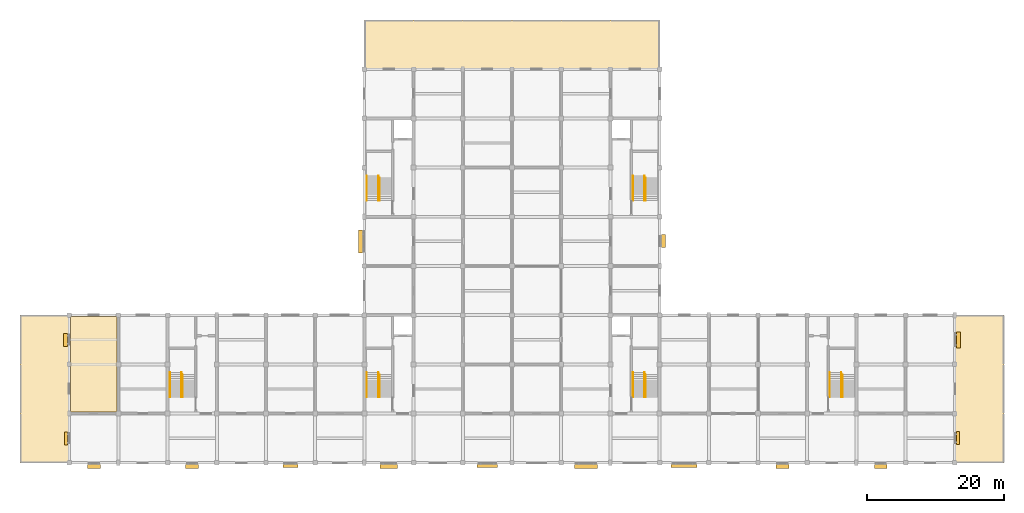
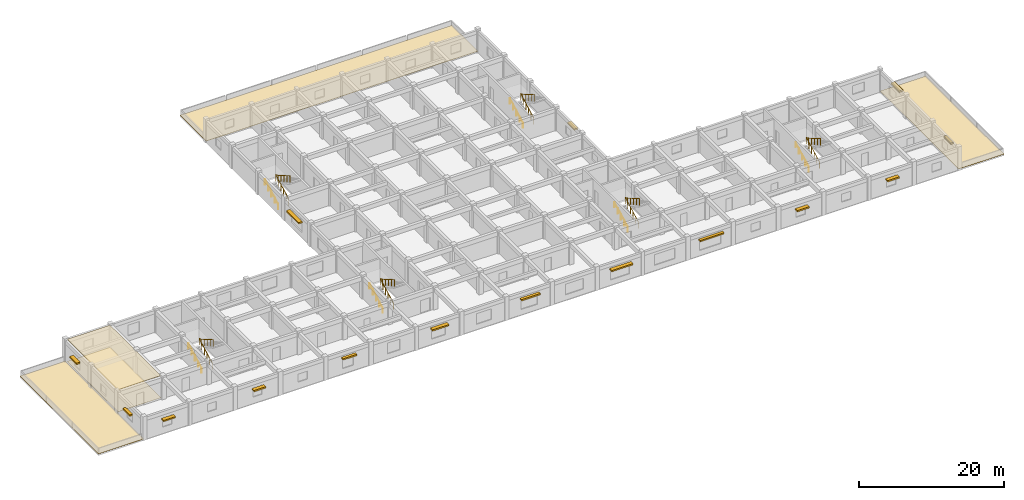
# One storey, part 16 of 16: 15 shading devices, 12 railings, 5 coverings.
"""IFC4 building model written with IfcOpenShell, lengths in metres."""

import ifcopenshell
import ifcopenshell.guid

model = None  # the IFC model being written
_history = None  # IfcOwnerHistory: only IFC2X3 demands one
_inside = {}  # id of a spatial element -> (the spatial element, [elements in it])
_under = {}  # id of a project, library or spatial element -> (it, [spatial elements below it])
_declared = {}  # id of a project -> (the project, [libraries it declares])
_typed = {}  # id of a type object -> (the type object, [elements of that type])
_made_of = {}  # id of a material, layer set ... -> (it, [elements and type objects made of it])


def new_model(schema):
    """Start an empty IFC model of exactly this schema.

    Asked for "IFC4X3", IfcOpenShell would pick the latest addendum, in which some entities
    have other attributes; the version numbers below select the first issue.
    IFC2X3 requires an IfcOwnerHistory on every rooted entity: one is made here for all.
    """
    global model, _history
    if schema == "IFC4X3":
        model = ifcopenshell.file(schema_version=(4, 3, 0, 0))
    else:
        model = ifcopenshell.file(schema=schema)
    _inside.clear()
    _under.clear()
    _declared.clear()
    _typed.clear()
    _made_of.clear()
    _history = None
    if model.schema == "IFC2X3":
        org = make("IfcOrganization", Name="unknown")
        user = make(
            "IfcPersonAndOrganization",
            ThePerson=make("IfcPerson", FamilyName="unknown"),
            TheOrganization=org,
        )
        app = make(
            "IfcApplication",
            ApplicationDeveloper=org,
            Version="unknown",
            ApplicationFullName="unknown",
            ApplicationIdentifier="unknown",
        )
        _history = make(
            "IfcOwnerHistory",
            OwningUser=user,
            OwningApplication=app,
            ChangeAction="ADDED",
            CreationDate=0,
        )
    return model


def make(cls, **values):
    """One entity of the class cls with the attributes given. An attribute that is None is left unset."""
    return model.create_entity(
        cls, **{name: value for name, value in values.items() if value is not None}
    )


def rooted(cls, **values):
    """An entity with a GlobalId (a new one), such as an element, a storey or a relation."""
    return make(cls, GlobalId=ifcopenshell.guid.new(), OwnerHistory=_history, **values)


def si_unit(unit_type, name, prefix=None):
    """IfcSIUnit, for example si_unit("LENGTHUNIT", "METRE", prefix="MILLI")."""
    return make("IfcSIUnit", UnitType=unit_type, Prefix=prefix, Name=name)


def assignment(units):
    """IfcUnitAssignment: the units of a project."""
    return None if units is None else make("IfcUnitAssignment", Units=units)


def point(xyz):
    """IfcCartesianPoint."""
    return None if xyz is None else make("IfcCartesianPoint", Coordinates=xyz)


def direction(xyz):
    """IfcDirection."""
    return None if xyz is None else make("IfcDirection", DirectionRatios=xyz)


def frame(location, z_axis=None, x_axis=None):
    """IfcAxis2Placement3D, a coordinate frame: its origin and axes. An axis left out is left unset."""
    return make(
        "IfcAxis2Placement3D",
        Location=point(location),
        Axis=direction(z_axis),
        RefDirection=direction(x_axis),
    )


def frame_2d(location, x_axis=None):
    """IfcAxis2Placement2D, a coordinate frame in the plane: its origin and x axis."""
    return make(
        "IfcAxis2Placement2D", Location=point(location), RefDirection=direction(x_axis)
    )


def origin():
    """The frame at (0, 0, 0) with its axes left unset."""
    return frame((0.0, 0.0, 0.0))


def origin_2d():
    """The frame at (0, 0) in the plane with its x axis left unset."""
    return frame_2d((0.0, 0.0))


def place(relative_to, where):
    """IfcLocalPlacement: puts the frame where relative to a parent placement (None: the world)."""
    return make(
        "IfcLocalPlacement", PlacementRelTo=relative_to, RelativePlacement=where
    )


def context(
    kind, dimensions, precision=None, world=None, true_north=None, identifier=None
):
    """IfcGeometricRepresentationContext, for example the 3D "Model" context."""
    return make(
        "IfcGeometricRepresentationContext",
        ContextIdentifier=identifier,
        ContextType=kind,
        CoordinateSpaceDimension=dimensions,
        Precision=precision,
        WorldCoordinateSystem=world,
        TrueNorth=true_north,
    )


def subcontext(parent, identifier, kind, view, scale=None):
    """IfcGeometricRepresentationSubContext, for example "Body" below "Model"."""
    return make(
        "IfcGeometricRepresentationSubContext",
        ContextIdentifier=identifier,
        ContextType=kind,
        ParentContext=parent,
        TargetScale=scale,
        TargetView=view,
    )


def project(units=None, contexts=None):
    """IfcProject with its units and contexts."""
    return rooted(
        "IfcProject",
        Name="project",
        RepresentationContexts=contexts,
        UnitsInContext=assignment(units),
    )


def spatial(cls, under=None, at=None, **own):
    """A site, building, storey or space (cls), placed at a placement, below another one or the project."""
    s = rooted(cls, ObjectPlacement=at, **own)
    if under is not None:
        _under.setdefault(under.id(), (under, []))[1].append(s)
    return s


def polyline(points):
    """IfcPolyline through the points."""
    return make("IfcPolyline", Points=[point(p) for p in points])


def profile(cls, at=None, kind="AREA", **sizes):
    """A parametric profile (cls). Its sizes go by their IFC names, for example OverallWidth=200.0."""
    return make(cls, ProfileType=kind, Position=at, **sizes)


def rectangle(**sizes):
    """IfcRectangleProfileDef."""
    return profile("IfcRectangleProfileDef", **sizes)


def circle(**sizes):
    """IfcCircleProfileDef."""
    return profile("IfcCircleProfileDef", **sizes)


def outline(outer, holes=None, kind="AREA"):
    """IfcArbitraryClosedProfileDef: a profile drawn as a closed curve; with holes, ...WithVoids."""
    if holes is None:
        return make("IfcArbitraryClosedProfileDef", ProfileType=kind, OuterCurve=outer)
    return make(
        "IfcArbitraryProfileDefWithVoids",
        ProfileType=kind,
        OuterCurve=outer,
        InnerCurves=holes,
    )


def extrude(swept, where, along, depth):
    """IfcExtrudedAreaSolid: the profile swept, set in the frame where, extruded along a direction by depth."""
    return make(
        "IfcExtrudedAreaSolid",
        SweptArea=swept,
        Position=where,
        ExtrudedDirection=direction(along),
        Depth=depth,
    )


def shape(context_of_items, identifier, shape_type, items):
    """IfcShapeRepresentation: the items that make up one representation, for example the "Body"."""
    return make(
        "IfcShapeRepresentation",
        ContextOfItems=context_of_items,
        RepresentationIdentifier=identifier,
        RepresentationType=shape_type,
        Items=items,
    )


def material(Name=None, Category=None):
    """IfcMaterial."""
    return make("IfcMaterial", Name=Name, Category=Category)


def layer(
    of_material, thickness, ventilated=None, Name=None, Category=None, Priority=None
):
    """IfcMaterialLayer: one layer of a wall or slab, of a material (None: an air gap)."""
    return make(
        "IfcMaterialLayer",
        Material=of_material,
        LayerThickness=thickness,
        IsVentilated=ventilated,
        Name=Name,
        Category=Category,
        Priority=Priority,
    )


def layer_set(layers, Name=None):
    """IfcMaterialLayerSet."""
    return make("IfcMaterialLayerSet", MaterialLayers=layers, LayerSetName=Name)


def made_of(thing, what):
    """Note that an element or type object is made of a material, layer set ...; save() writes the relation."""
    if what is not None:
        _made_of.setdefault(what.id(), (what, []))[1].append(thing)
    return thing


def type_object(cls, material=None, **own):
    """A type object (cls), such as IfcWallType, which elements share."""
    return made_of(rooted(cls, **own), material)


def element(
    cls,
    number,
    at=None,
    inside=None,
    cuts=None,
    type_object=None,
    material=None,
    context=None,
    identifier="Body",
    shape_type=None,
    held_by="IfcProductDefinitionShape",
    body=None,
    shapes=None,
    **own,
):
    """One element of the class cls, such as IfcWall. Its Tag is "e" and its number.

    at: its placement. inside: the storey or other place that contains it. cuts: it is an
    opening in that element (IfcRelVoidsElement). A single representation is given by context,
    identifier, shape_type and body (its items); several are given by shapes. held_by: the class
    of the entity that holds the representations. save() writes the other relations.
    """
    e = rooted(cls, Tag="e%d" % number, ObjectPlacement=at, **own)
    if body is not None:
        shapes = [shape(context, identifier, shape_type, body)]
    if shapes is not None:
        e.Representation = make(held_by, Representations=shapes)
    if inside is not None:
        _inside.setdefault(inside.id(), (inside, []))[1].append(e)
    if cuts is not None:
        rooted(
            "IfcRelVoidsElement", RelatingBuildingElement=cuts, RelatedOpeningElement=e
        )
    if type_object is not None:
        _typed.setdefault(type_object.id(), (type_object, []))[1].append(e)
    return made_of(e, material)


def aggregate(whole, parts):
    """IfcRelAggregates: a whole, such as a stair, and the parts it consists of."""
    return rooted("IfcRelAggregates", RelatingObject=whole, RelatedObjects=parts)


def save(model, path):
    """Write the relations noted so far, then the file.

    IfcRelAggregates (storeys below a building ...), IfcRelContainedInSpatialStructure (elements
    in a storey), IfcRelDefinesByType, IfcRelAssociatesMaterial and IfcRelDeclares: one each for
    every whole, place, type object, material and project.
    """
    for whole, parts in _under.values():
        aggregate(whole, parts)
    for where, things in _inside.values():
        rooted(
            "IfcRelContainedInSpatialStructure",
            RelatedElements=things,
            RelatingStructure=where,
        )
    for kind, things in _typed.values():
        rooted("IfcRelDefinesByType", RelatedObjects=things, RelatingType=kind)
    for what, things in _made_of.values():
        rooted("IfcRelAssociatesMaterial", RelatedObjects=things, RelatingMaterial=what)
    for by, libraries in _declared.values():
        rooted("IfcRelDeclares", RelatingContext=by, RelatedDefinitions=libraries)
    model.write(path)


model = new_model("IFC4")

# Units and contexts
model_context = context("Model", 3, precision=1e-05, world=origin(), true_north=direction((0.0, 1.0)))
body_context = subcontext(model_context, "Body", "Model", "MODEL_VIEW")
ifc_project = project(units=[si_unit("LENGTHUNIT", "METRE"), si_unit("AREAUNIT", "SQUARE_METRE"), si_unit("VOLUMEUNIT", "CUBIC_METRE"), si_unit("PLANEANGLEUNIT", "RADIAN"), si_unit("MASSUNIT", "GRAM", prefix="KILO")], contexts=[model_context])

# Site, building, storey
site_placement = place(None, origin())
site = spatial("IfcSite", under=ifc_project, at=site_placement, CompositionType="ELEMENT")
building_placement = place(site_placement, origin())
building = spatial("IfcBuilding", under=site, at=building_placement, Name="Cendaluz Park School", CompositionType="ELEMENT")
storey_placement = place(building_placement, frame((0.0, 0.0, 22.60009765625)))
storey = spatial("IfcBuildingStorey", under=building, at=storey_placement, Name="L05", CompositionType="ELEMENT", Elevation=22.60009765625)

# Coverings
ifc_material_1 = material(Name="Mineral Fibre Acoustic Tile")
ifc_layer_1 = layer(ifc_material_1, 0.030029296875)
ifc_layer_set_1 = layer_set([ifc_layer_1], Name="Mineral Fibre Acoustic Tile")
covering_type_1 = type_object("IfcCoveringType", Name="CV-CLG01", PredefinedType="CEILING", material=ifc_layer_set_1)
covering_1_placement = place(storey_placement, frame((0.0, 0.0, 3.719970703125)))
element("IfcCovering", 1, at=covering_1_placement, inside=storey, type_object=covering_type_1, Name="CV-CLG-L05-01", PredefinedType="CEILING", context=body_context, shape_type="SweptSolid", body=[
    extrude(outline(polyline([(21.800048828125, 14.60009765625), (28.60009765625, 14.60009765625), (28.60009765625, 28.60009765625), (21.800048828125, 28.60009765625), (21.800048828125, 14.60009765625)])), origin(), (0.0, 0.0, 1.0), 0.030029296875),
])
ifc_material_2 = material(Name="Polished Terrazzo Tile")
ifc_layer_2 = layer(ifc_material_2, 0.02001953125)
ifc_layer_set_2 = layer_set([ifc_layer_2], Name="Polished Terrazzo Tile")
covering_type_2 = type_object("IfcCoveringType", Name="CV-FLR01", PredefinedType="FLOORING", material=ifc_layer_set_2)
covering_2_placement = place(storey_placement, origin())
element("IfcCovering", 2, at=covering_2_placement, inside=storey, type_object=covering_type_2, Name="CV-FLR-L05-01", PredefinedType="FLOORING", context=body_context, shape_type="SweptSolid", body=[
    extrude(outline(polyline([(21.800048828125, 14.60009765625), (28.60009765625, 14.60009765625), (28.60009765625, 28.60009765625), (21.800048828125, 28.60009765625), (21.800048828125, 14.60009765625)])), origin(), (0.0, 0.0, 1.0), 0.02001953125),
])
ifc_material_3 = material(Name="EPDM Roofing Membrane")
ifc_layer_3 = layer(ifc_material_3, 0.06005859375)
ifc_layer_set_3 = layer_set([ifc_layer_3], Name="EPDM Roofing Membrane")
covering_type_3 = type_object("IfcCoveringType", Name="CV-RF01", PredefinedType="ROOFING", material=ifc_layer_set_3)
covering_3_placement = place(storey_placement, origin())
element("IfcCovering", 3, at=covering_3_placement, inside=storey, type_object=covering_type_3, Name="CV-RF-L04-02", PredefinedType="ROOFING", context=body_context, shape_type="SweptSolid", body=[
    extrude(outline(polyline([(14.39990234375, 28.800048828125), (21.60009765625, 28.800048828125), (21.60009765625, 7.199951171875), (14.39990234375, 7.199951171875), (14.39990234375, 28.800048828125)])), origin(), (0.0, 0.0, 1.0), 0.059814453125),
])
covering_4_placement = place(storey_placement, origin())
element("IfcCovering", 4, at=covering_4_placement, inside=storey, type_object=covering_type_3, Name="CV-RF-L04-03", PredefinedType="ROOFING", context=body_context, shape_type="SweptSolid", body=[
    extrude(outline(polyline([(108.0, 72.0), (108.0, 64.800048828125), (64.800048828125, 64.800048828125), (64.800048828125, 72.0), (108.0, 72.0)])), origin(), (0.0, 0.0, 1.0), 0.059814453125),
])
covering_5_placement = place(storey_placement, origin())
element("IfcCovering", 5, at=covering_5_placement, inside=storey, type_object=covering_type_3, Name="CV-RF-L04-04", PredefinedType="ROOFING", context=body_context, shape_type="SweptSolid", body=[
    extrude(outline(polyline([(151.199951171875, 28.800048828125), (158.39990234375, 28.800048828125), (158.39990234375, 7.199951171875), (151.199951171875, 7.199951171875), (151.199951171875, 28.800048828125)])), origin(), (0.0, 0.0, 1.0), 0.059814453125),
])

# Railings
ifc_material_4 = material(Name="Wrought Iron")
railing_type_1 = type_object("IfcRailingType", Name="GR-ST01", PredefinedType="BALUSTRADE", material=ifc_material_4)
railing_1_placement = place(storey_placement, frame((66.840087890625, 16.800048828125, 0.159912109375)))
element("IfcRailing", 6, at=railing_1_placement, inside=storey, type_object=railing_type_1, Name="GR-ST-013", PredefinedType="BALUSTRADE", context=body_context, shape_type="SweptSolid", body=[
    extrude(circle(Radius=0.02392578125, at=origin_2d()), frame((0.0, 0.0, 1.076171875), z_axis=(0.0, 0.882352941176, 0.470588235294), x_axis=(-1.0, 0.0, 0.0)), (0.0, 0.0, 1.0), 4.079833984375),
    extrude(circle(Radius=0.02392578125, at=origin_2d()), frame((0.0, 3.599853515625, 2.99609375), z_axis=(0.493084071153, -0.86998166577, 0.0), x_axis=(0.86998166577, 0.493084071153, 0.0)), (0.0, 0.0, 1.0), 0.3447265625),
    extrude(circle(Radius=0.02392578125, at=origin_2d()), frame((0.169921875, 3.300048828125, 2.99609375), z_axis=(0.0, -0.86433267106, 0.502920504393), x_axis=(1.0, 0.0, 0.0)), (0.0, 0.0, 1.0), 3.818115234375),
    extrude(circle(Radius=0.02099609375, at=origin_2d()), origin(), (0.0, 0.0, 1.0), 1.052001953125),
    extrude(circle(Radius=0.02099609375, at=origin_2d()), frame((0.0, 0.719970703125, 0.384033203125)), (0.0, 0.0, 1.0), 1.052001953125),
    extrude(circle(Radius=0.02099609375, at=origin_2d()), frame((0.0, 1.43994140625, 0.76806640625)), (0.0, 0.0, 1.0), 1.052001953125),
    extrude(circle(Radius=0.02099609375, at=origin_2d()), frame((0.0, 2.159912109375, 1.15185546875)), (0.0, 0.0, 1.0), 1.052001953125),
    extrude(circle(Radius=0.02099609375, at=origin_2d()), frame((0.0, 2.8798828125, 1.535888671875)), (0.0, 0.0, 1.0), 1.052001953125),
    extrude(circle(Radius=0.02099609375, at=origin_2d()), frame((0.0, 3.599853515625, 1.919921875)), (0.0, 0.0, 1.0), 1.052001953125),
    extrude(circle(Radius=0.02099609375, at=origin_2d()), frame((0.169921875, 3.300048828125, 1.919921875)), (0.0, 0.0, 1.0), 1.052001953125),
    extrude(circle(Radius=0.02099609375, at=origin_2d()), frame((0.169921875, 2.47509765625, 2.39990234375)), (0.0, 0.0, 1.0), 1.052001953125),
    extrude(circle(Radius=0.02099609375, at=origin_2d()), frame((0.169921875, 1.64990234375, 2.8798828125)), (0.0, 0.0, 1.0), 1.052001953125),
    extrude(circle(Radius=0.02099609375, at=origin_2d()), frame((0.169921875, 0.824951171875, 3.360107421875)), (0.0, 0.0, 1.0), 1.052001953125),
    extrude(circle(Radius=0.02099609375, at=origin_2d()), frame((0.169921875, 0.0, 3.840087890625)), (0.0, 0.0, 1.0), 1.052001953125),
])
railing_2_placement = place(storey_placement, frame((105.7900390625, 16.800048828125, 0.159912109375)))
element("IfcRailing", 7, at=railing_2_placement, inside=storey, type_object=railing_type_1, Name="GR-ST-048", PredefinedType="BALUSTRADE", context=body_context, shape_type="SweptSolid", body=[
    extrude(circle(Radius=0.02392578125, at=origin_2d()), frame((0.0, 0.0, 1.076171875), z_axis=(0.0, 0.882352941176, 0.470588235294), x_axis=(-1.0, 0.0, 0.0)), (0.0, 0.0, 1.0), 4.079833984375),
    extrude(circle(Radius=0.02392578125, at=origin_2d()), frame((0.0, 3.599853515625, 2.99609375), z_axis=(0.493084071153, -0.86998166577, 0.0), x_axis=(0.86998166577, 0.493084071153, 0.0)), (0.0, 0.0, 1.0), 0.3447265625),
    extrude(circle(Radius=0.02392578125, at=origin_2d()), frame((0.169921875, 3.300048828125, 2.99609375), z_axis=(0.0, -0.86433267106, 0.502920504393), x_axis=(1.0, 0.0, 0.0)), (0.0, 0.0, 1.0), 3.818115234375),
    extrude(circle(Radius=0.02099609375, at=origin_2d()), origin(), (0.0, 0.0, 1.0), 1.052001953125),
    extrude(circle(Radius=0.02099609375, at=origin_2d()), frame((0.0, 0.719970703125, 0.384033203125)), (0.0, 0.0, 1.0), 1.052001953125),
    extrude(circle(Radius=0.02099609375, at=origin_2d()), frame((0.0, 1.43994140625, 0.76806640625)), (0.0, 0.0, 1.0), 1.052001953125),
    extrude(circle(Radius=0.02099609375, at=origin_2d()), frame((0.0, 2.159912109375, 1.15185546875)), (0.0, 0.0, 1.0), 1.052001953125),
    extrude(circle(Radius=0.02099609375, at=origin_2d()), frame((0.0, 2.8798828125, 1.535888671875)), (0.0, 0.0, 1.0), 1.052001953125),
    extrude(circle(Radius=0.02099609375, at=origin_2d()), frame((0.0, 3.599853515625, 1.919921875)), (0.0, 0.0, 1.0), 1.052001953125),
    extrude(circle(Radius=0.02099609375, at=origin_2d()), frame((0.169921875, 3.300048828125, 1.919921875)), (0.0, 0.0, 1.0), 1.052001953125),
    extrude(circle(Radius=0.02099609375, at=origin_2d()), frame((0.169921875, 2.47509765625, 2.39990234375)), (0.0, 0.0, 1.0), 1.052001953125),
    extrude(circle(Radius=0.02099609375, at=origin_2d()), frame((0.169921875, 1.64990234375, 2.8798828125)), (0.0, 0.0, 1.0), 1.052001953125),
    extrude(circle(Radius=0.02099609375, at=origin_2d()), frame((0.169921875, 0.824951171875, 3.360107421875)), (0.0, 0.0, 1.0), 1.052001953125),
    extrude(circle(Radius=0.02099609375, at=origin_2d()), frame((0.169921875, 0.0, 3.840087890625)), (0.0, 0.0, 1.0), 1.052001953125),
])
railing_3_placement = place(storey_placement, frame((66.840087890625, 45.60009765625, 0.159912109375)))
element("IfcRailing", 8, at=railing_3_placement, inside=storey, type_object=railing_type_1, Name="GR-ST-083", PredefinedType="BALUSTRADE", context=body_context, shape_type="SweptSolid", body=[
    extrude(circle(Radius=0.02392578125, at=origin_2d()), frame((0.0, 0.0, 1.076171875), z_axis=(0.0, 0.882352941176, 0.470588235294), x_axis=(-1.0, 0.0, 0.0)), (0.0, 0.0, 1.0), 4.079833984375),
    extrude(circle(Radius=0.02392578125, at=origin_2d()), frame((0.0, 3.599853515625, 2.99609375), z_axis=(0.492780319847, -0.870153754443, 0.0), x_axis=(0.870153754443, 0.492780319847, 0.0)), (0.0, 0.0, 1.0), 0.3447265625),
    extrude(circle(Radius=0.02392578125, at=origin_2d()), frame((0.169921875, 3.2998046875, 2.99609375), z_axis=(0.0, -0.864316496394, 0.502948301579), x_axis=(1.0, 0.0, 0.0)), (0.0, 0.0, 1.0), 3.81787109375),
    extrude(circle(Radius=0.02099609375, at=origin_2d()), origin(), (0.0, 0.0, 1.0), 1.052001953125),
    extrude(circle(Radius=0.02099609375, at=origin_2d()), frame((0.0, 0.719970703125, 0.384033203125)), (0.0, 0.0, 1.0), 1.052001953125),
    extrude(circle(Radius=0.02099609375, at=origin_2d()), frame((0.0, 1.43994140625, 0.76806640625)), (0.0, 0.0, 1.0), 1.052001953125),
    extrude(circle(Radius=0.02099609375, at=origin_2d()), frame((0.0, 2.159912109375, 1.15185546875)), (0.0, 0.0, 1.0), 1.052001953125),
    extrude(circle(Radius=0.02099609375, at=origin_2d()), frame((0.0, 2.8798828125, 1.535888671875)), (0.0, 0.0, 1.0), 1.052001953125),
    extrude(circle(Radius=0.02099609375, at=origin_2d()), frame((0.0, 3.599853515625, 1.919921875)), (0.0, 0.0, 1.0), 1.052001953125),
    extrude(circle(Radius=0.02099609375, at=origin_2d()), frame((0.169921875, 3.2998046875, 1.919921875)), (0.0, 0.0, 1.0), 1.052001953125),
    extrude(circle(Radius=0.02099609375, at=origin_2d()), frame((0.169921875, 2.474853515625, 2.39990234375)), (0.0, 0.0, 1.0), 1.052001953125),
    extrude(circle(Radius=0.02099609375, at=origin_2d()), frame((0.169921875, 1.64990234375, 2.8798828125)), (0.0, 0.0, 1.0), 1.052001953125),
    extrude(circle(Radius=0.02099609375, at=origin_2d()), frame((0.169921875, 0.824951171875, 3.360107421875)), (0.0, 0.0, 1.0), 1.052001953125),
    extrude(circle(Radius=0.02099609375, at=origin_2d()), frame((0.169921875, 0.0, 3.840087890625)), (0.0, 0.0, 1.0), 1.052001953125),
])
railing_4_placement = place(storey_placement, frame((105.7900390625, 45.60009765625, 0.159912109375)))
element("IfcRailing", 9, at=railing_4_placement, inside=storey, type_object=railing_type_1, Name="GR-ST-118", PredefinedType="BALUSTRADE", context=body_context, shape_type="SweptSolid", body=[
    extrude(circle(Radius=0.02392578125, at=origin_2d()), frame((0.0, 0.0, 1.076171875), z_axis=(0.0, 0.882352941176, 0.470588235294), x_axis=(-1.0, 0.0, 0.0)), (0.0, 0.0, 1.0), 4.079833984375),
    extrude(circle(Radius=0.02392578125, at=origin_2d()), frame((0.0, 3.599853515625, 2.99609375), z_axis=(0.492780319847, -0.870153754443, 0.0), x_axis=(0.870153754443, 0.492780319847, 0.0)), (0.0, 0.0, 1.0), 0.3447265625),
    extrude(circle(Radius=0.02392578125, at=origin_2d()), frame((0.169921875, 3.2998046875, 2.99609375), z_axis=(0.0, -0.864316496394, 0.502948301579), x_axis=(1.0, 0.0, 0.0)), (0.0, 0.0, 1.0), 3.81787109375),
    extrude(circle(Radius=0.02099609375, at=origin_2d()), origin(), (0.0, 0.0, 1.0), 1.052001953125),
    extrude(circle(Radius=0.02099609375, at=origin_2d()), frame((0.0, 0.719970703125, 0.384033203125)), (0.0, 0.0, 1.0), 1.052001953125),
    extrude(circle(Radius=0.02099609375, at=origin_2d()), frame((0.0, 1.43994140625, 0.76806640625)), (0.0, 0.0, 1.0), 1.052001953125),
    extrude(circle(Radius=0.02099609375, at=origin_2d()), frame((0.0, 2.159912109375, 1.15185546875)), (0.0, 0.0, 1.0), 1.052001953125),
    extrude(circle(Radius=0.02099609375, at=origin_2d()), frame((0.0, 2.8798828125, 1.535888671875)), (0.0, 0.0, 1.0), 1.052001953125),
    extrude(circle(Radius=0.02099609375, at=origin_2d()), frame((0.0, 3.599853515625, 1.919921875)), (0.0, 0.0, 1.0), 1.052001953125),
    extrude(circle(Radius=0.02099609375, at=origin_2d()), frame((0.169921875, 3.2998046875, 1.919921875)), (0.0, 0.0, 1.0), 1.052001953125),
    extrude(circle(Radius=0.02099609375, at=origin_2d()), frame((0.169921875, 2.474853515625, 2.39990234375)), (0.0, 0.0, 1.0), 1.052001953125),
    extrude(circle(Radius=0.02099609375, at=origin_2d()), frame((0.169921875, 1.64990234375, 2.8798828125)), (0.0, 0.0, 1.0), 1.052001953125),
    extrude(circle(Radius=0.02099609375, at=origin_2d()), frame((0.169921875, 0.824951171875, 3.360107421875)), (0.0, 0.0, 1.0), 1.052001953125),
    extrude(circle(Radius=0.02099609375, at=origin_2d()), frame((0.169921875, 0.0, 3.840087890625)), (0.0, 0.0, 1.0), 1.052001953125),
])
railing_5_placement = place(storey_placement, frame((38.0400390625, 16.800048828125, 0.159912109375)))
element("IfcRailing", 10, at=railing_5_placement, inside=storey, type_object=railing_type_1, Name="GR-ST-153", PredefinedType="BALUSTRADE", context=body_context, shape_type="SweptSolid", body=[
    extrude(circle(Radius=0.02392578125, at=origin_2d()), frame((0.0, 0.0, 1.076171875), z_axis=(0.0, 0.882352941176, 0.470588235294), x_axis=(-1.0, 0.0, 0.0)), (0.0, 0.0, 1.0), 4.079833984375),
    extrude(circle(Radius=0.02392578125, at=origin_2d()), frame((0.0, 3.599853515625, 2.99609375), z_axis=(0.493084071153, -0.86998166577, 0.0), x_axis=(0.86998166577, 0.493084071153, 0.0)), (0.0, 0.0, 1.0), 0.3447265625),
    extrude(circle(Radius=0.02392578125, at=origin_2d()), frame((0.169921875, 3.300048828125, 2.99609375), z_axis=(0.0, -0.86433267106, 0.502920504393), x_axis=(1.0, 0.0, 0.0)), (0.0, 0.0, 1.0), 3.818115234375),
    extrude(circle(Radius=0.02099609375, at=origin_2d()), origin(), (0.0, 0.0, 1.0), 1.052001953125),
    extrude(circle(Radius=0.02099609375, at=origin_2d()), frame((0.0, 0.719970703125, 0.384033203125)), (0.0, 0.0, 1.0), 1.052001953125),
    extrude(circle(Radius=0.02099609375, at=origin_2d()), frame((0.0, 1.43994140625, 0.76806640625)), (0.0, 0.0, 1.0), 1.052001953125),
    extrude(circle(Radius=0.02099609375, at=origin_2d()), frame((0.0, 2.159912109375, 1.15185546875)), (0.0, 0.0, 1.0), 1.052001953125),
    extrude(circle(Radius=0.02099609375, at=origin_2d()), frame((0.0, 2.8798828125, 1.535888671875)), (0.0, 0.0, 1.0), 1.052001953125),
    extrude(circle(Radius=0.02099609375, at=origin_2d()), frame((0.0, 3.599853515625, 1.919921875)), (0.0, 0.0, 1.0), 1.052001953125),
    extrude(circle(Radius=0.02099609375, at=origin_2d()), frame((0.169921875, 3.300048828125, 1.919921875)), (0.0, 0.0, 1.0), 1.052001953125),
    extrude(circle(Radius=0.02099609375, at=origin_2d()), frame((0.169921875, 2.47509765625, 2.39990234375)), (0.0, 0.0, 1.0), 1.052001953125),
    extrude(circle(Radius=0.02099609375, at=origin_2d()), frame((0.169921875, 1.64990234375, 2.8798828125)), (0.0, 0.0, 1.0), 1.052001953125),
    extrude(circle(Radius=0.02099609375, at=origin_2d()), frame((0.169921875, 0.824951171875, 3.360107421875)), (0.0, 0.0, 1.0), 1.052001953125),
    extrude(circle(Radius=0.02099609375, at=origin_2d()), frame((0.169921875, 0.0, 3.840087890625)), (0.0, 0.0, 1.0), 1.052001953125),
])
railing_6_placement = place(storey_placement, frame((134.590087890625, 16.800048828125, 0.159912109375)))
element("IfcRailing", 11, at=railing_6_placement, inside=storey, type_object=railing_type_1, Name="GR-ST-170", PredefinedType="BALUSTRADE", context=body_context, shape_type="SweptSolid", body=[
    extrude(circle(Radius=0.02392578125, at=origin_2d()), frame((0.0, 0.0, 1.076171875), z_axis=(0.0, 0.882352941176, 0.470588235294), x_axis=(-1.0, 0.0, 0.0)), (0.0, 0.0, 1.0), 4.079833984375),
    extrude(circle(Radius=0.02392578125, at=origin_2d()), frame((0.0, 3.599853515625, 2.99609375), z_axis=(0.493084071153, -0.86998166577, 0.0), x_axis=(0.86998166577, 0.493084071153, 0.0)), (0.0, 0.0, 1.0), 0.3447265625),
    extrude(circle(Radius=0.02392578125, at=origin_2d()), frame((0.169921875, 3.300048828125, 2.99609375), z_axis=(0.0, -0.86433267106, 0.502920504393), x_axis=(1.0, 0.0, 0.0)), (0.0, 0.0, 1.0), 3.818115234375),
    extrude(circle(Radius=0.02099609375, at=origin_2d()), origin(), (0.0, 0.0, 1.0), 1.052001953125),
    extrude(circle(Radius=0.02099609375, at=origin_2d()), frame((0.0, 0.719970703125, 0.384033203125)), (0.0, 0.0, 1.0), 1.052001953125),
    extrude(circle(Radius=0.02099609375, at=origin_2d()), frame((0.0, 1.43994140625, 0.76806640625)), (0.0, 0.0, 1.0), 1.052001953125),
    extrude(circle(Radius=0.02099609375, at=origin_2d()), frame((0.0, 2.159912109375, 1.15185546875)), (0.0, 0.0, 1.0), 1.052001953125),
    extrude(circle(Radius=0.02099609375, at=origin_2d()), frame((0.0, 2.8798828125, 1.535888671875)), (0.0, 0.0, 1.0), 1.052001953125),
    extrude(circle(Radius=0.02099609375, at=origin_2d()), frame((0.0, 3.599853515625, 1.919921875)), (0.0, 0.0, 1.0), 1.052001953125),
    extrude(circle(Radius=0.02099609375, at=origin_2d()), frame((0.169921875, 3.300048828125, 1.919921875)), (0.0, 0.0, 1.0), 1.052001953125),
    extrude(circle(Radius=0.02099609375, at=origin_2d()), frame((0.169921875, 2.47509765625, 2.39990234375)), (0.0, 0.0, 1.0), 1.052001953125),
    extrude(circle(Radius=0.02099609375, at=origin_2d()), frame((0.169921875, 1.64990234375, 2.8798828125)), (0.0, 0.0, 1.0), 1.052001953125),
    extrude(circle(Radius=0.02099609375, at=origin_2d()), frame((0.169921875, 0.824951171875, 3.360107421875)), (0.0, 0.0, 1.0), 1.052001953125),
    extrude(circle(Radius=0.02099609375, at=origin_2d()), frame((0.169921875, 0.0, 3.840087890625)), (0.0, 0.0, 1.0), 1.052001953125),
])
ifc_material_5 = material(Name="Architectural Bronze")
railing_type_2 = type_object("IfcRailingType", Name="HR-ST01", PredefinedType="HANDRAIL", material=ifc_material_5)
for number, where, name in (
    (12, (65.14990234375, 16.800048828125, 0.159912109375), "HR-ST-014"),
    (13, (104.10009765625, 16.800048828125, 0.159912109375), "HR-ST-049"),
    (14, (65.14990234375, 45.60009765625, 0.159912109375), "HR-ST-084"),
    (15, (104.10009765625, 45.60009765625, 0.159912109375), "HR-ST-119"),
    (16, (36.35009765625, 16.800048828125, 0.159912109375), "HR-ST-154"),
    (17, (132.89990234375, 16.800048828125, 0.159912109375), "HR-ST-171"),
):
    element("IfcRailing", number, at=place(storey_placement, frame(where)), inside=storey, type_object=railing_type_2, Name=name, PredefinedType="HANDRAIL", context=body_context, shape_type="SweptSolid", body=[
        extrude(circle(Radius=0.02392578125, at=origin_2d()), frame((0.0, 0.0, 0.8759765625), z_axis=(0.0, 0.882352941176, 0.470588235294), x_axis=(-1.0, 0.0, 0.0)), (0.0, 0.0, 1.0), 4.079833984375),
        extrude(circle(Radius=0.02099609375, at=origin_2d()), origin(), (0.0, 0.0, 1.0), 0.851806640625),
        extrude(circle(Radius=0.02099609375, at=origin_2d()), frame((0.0, 0.89990234375, 0.47998046875)), (0.0, 0.0, 1.0), 0.851806640625),
        extrude(circle(Radius=0.02099609375, at=origin_2d()), frame((0.0, 1.7998046875, 0.9599609375)), (0.0, 0.0, 1.0), 0.851806640625),
        extrude(circle(Radius=0.02099609375, at=origin_2d()), frame((0.0, 2.699951171875, 1.43994140625)), (0.0, 0.0, 1.0), 0.851806640625),
        extrude(circle(Radius=0.02099609375, at=origin_2d()), frame((0.0, 3.599853515625, 1.919921875)), (0.0, 0.0, 1.0), 0.851806640625),
    ])

# Shading devices
ifc_material_6 = material(Name="Anodised Aluminium 6063-T6", Category="aluminium")
shading_device_type_1 = type_object("IfcShadingDeviceType", Name="SD-01", PredefinedType="JALOUSIE", material=ifc_material_6)
for number, where, z_axis, x_axis, name in (
    (18, (25.237548828125, 6.64990234375, 2.4697265625), (0.0, 0.0, 1.0), (1.0, 0.0, 0.0), "SD-L05-071"),
    (19, (21.050048828125, 25.199951171875, 2.4697265625), (0.0, 0.0, 1.0), (0.0, 1.0, 0.0), "SD-L05-073"),
    (20, (39.60009765625, 6.64990234375, 2.4697265625), (0.0, 0.0, 1.0), (1.0, 0.0, 0.0), "SD-L05-074"),
):
    element("IfcShadingDevice", number, at=place(storey_placement, frame(where, z_axis=z_axis, x_axis=x_axis)), inside=storey, type_object=shading_device_type_1, Name=name, PredefinedType="JALOUSIE", context=body_context, shape_type="SweptSolid", body=[
        extrude(rectangle(XDim=1.89990234375, YDim=0.60009765625, at=origin_2d()), origin(), (0.0, 0.0, 1.0), 0.239990234375),
    ])
shading_device_1_placement = place(storey_placement, frame((68.362548828125, 6.64990234375, 2.7197265625), z_axis=(0.0, 0.0, 1.0), x_axis=(1.0, 0.0, 0.0)))
element("IfcShadingDevice", 21, at=shading_device_1_placement, inside=storey, type_object=shading_device_type_1, Name="SD-L05-076", PredefinedType="JALOUSIE", context=body_context, shape_type="SweptSolid", body=[
    extrude(rectangle(XDim=2.60009765625, YDim=0.60009765625, at=origin_2d()), origin(), (0.0, 0.0, 1.0), 0.239990234375),
])
for number, where, z_axis, x_axis, name in (
    (22, (64.25, 39.574951171875, 2.7197265625), (0.0, 0.0, 1.0), (0.0, 1.0, 0.0), "SD-L05-077"),
    (23, (97.237548828125, 6.64990234375, 2.7197265625), (0.0, 0.0, 1.0), (1.0, 0.0, 0.0), "SD-L05-079"),
):
    element("IfcShadingDevice", number, at=place(storey_placement, frame(where, z_axis=z_axis, x_axis=x_axis)), inside=storey, type_object=shading_device_type_1, Name=name, PredefinedType="JALOUSIE", context=body_context, shape_type="SweptSolid", body=[
        extrude(rectangle(XDim=3.39990234375, YDim=0.60009765625, at=origin_2d()), origin(), (0.0, 0.0, 1.0), 0.239990234375),
    ])
for number, where, z_axis, x_axis, name in (
    (24, (108.550048828125, 39.625, 2.4697265625), (0.0, 0.0, 1.0), (0.0, 1.0, 0.0), "SD-L05-080"),
    (25, (126.0, 6.64990234375, 2.4697265625), (0.0, 0.0, 1.0), (1.0, 0.0, 0.0), "SD-L05-082"),
    (26, (140.362548828125, 6.64990234375, 2.4697265625), (0.0, 0.0, 1.0), (1.0, 0.0, 0.0), "SD-L05-083"),
):
    element("IfcShadingDevice", number, at=place(storey_placement, frame(where, z_axis=z_axis, x_axis=x_axis)), inside=storey, type_object=shading_device_type_1, Name=name, PredefinedType="JALOUSIE", context=body_context, shape_type="SweptSolid", body=[
        extrude(rectangle(XDim=1.89990234375, YDim=0.60009765625, at=origin_2d()), origin(), (0.0, 0.0, 1.0), 0.239990234375),
    ])
shading_device_2_placement = place(storey_placement, frame((151.75, 25.175048828125, 2.6201171875), z_axis=(0.0, 0.0, 1.0), x_axis=(0.0, 1.0, 0.0)))
element("IfcShadingDevice", 27, at=shading_device_2_placement, inside=storey, type_object=shading_device_type_1, Name="SD-L05-085", PredefinedType="JALOUSIE", context=body_context, shape_type="SweptSolid", body=[
    extrude(rectangle(XDim=2.300048828125, YDim=0.60009765625, at=origin_2d()), origin(), (0.0, 0.0, 1.0), 0.239990234375),
])
shading_device_type_2 = type_object("IfcShadingDeviceType", Name="SD-02", PredefinedType="SHUTTER", material=ifc_material_5)
shading_device_3_placement = place(storey_placement, frame((21.125, 10.77490234375, 2.4697265625), z_axis=(0.0, 0.0, 1.0), x_axis=(0.0, 1.0, 0.0)))
element("IfcShadingDevice", 28, at=shading_device_3_placement, inside=storey, type_object=shading_device_type_2, Name="SD-L05-072", PredefinedType="SHUTTER", context=body_context, shape_type="SweptSolid", body=[
    extrude(rectangle(XDim=1.89990234375, YDim=0.449951171875, at=origin_2d()), origin(), (0.0, 0.0, 1.0), 0.239990234375),
])
shading_device_4_placement = place(storey_placement, frame((54.0, 6.72509765625, 2.7197265625), z_axis=(0.0, 0.0, 1.0), x_axis=(1.0, 0.0, 0.0)))
element("IfcShadingDevice", 29, at=shading_device_4_placement, inside=storey, type_object=shading_device_type_2, Name="SD-L05-075", PredefinedType="SHUTTER", context=body_context, shape_type="SweptSolid", body=[
    extrude(rectangle(XDim=2.199951171875, YDim=0.449951171875, at=origin_2d()), origin(), (0.0, 0.0, 1.0), 0.239990234375),
])
shading_device_5_placement = place(storey_placement, frame((82.800048828125, 6.72509765625, 2.7197265625), z_axis=(0.0, 0.0, 1.0), x_axis=(1.0, 0.0, 0.0)))
element("IfcShadingDevice", 30, at=shading_device_5_placement, inside=storey, type_object=shading_device_type_2, Name="SD-L05-078", PredefinedType="SHUTTER", context=body_context, shape_type="SweptSolid", body=[
    extrude(rectangle(XDim=3.0, YDim=0.449951171875, at=origin_2d()), origin(), (0.0, 0.0, 1.0), 0.239990234375),
])
shading_device_6_placement = place(storey_placement, frame((111.60009765625, 6.72509765625, 2.7197265625), z_axis=(0.0, 0.0, 1.0), x_axis=(1.0, 0.0, 0.0)))
element("IfcShadingDevice", 31, at=shading_device_6_placement, inside=storey, type_object=shading_device_type_2, Name="SD-L05-081", PredefinedType="SHUTTER", context=body_context, shape_type="SweptSolid", body=[
    extrude(rectangle(XDim=3.800048828125, YDim=0.449951171875, at=origin_2d()), origin(), (0.0, 0.0, 1.0), 0.239990234375),
])
shading_device_7_placement = place(storey_placement, frame((151.675048828125, 10.800048828125, 2.4697265625), z_axis=(0.0, 0.0, 1.0), x_axis=(0.0, 1.0, 0.0)))
element("IfcShadingDevice", 32, at=shading_device_7_placement, inside=storey, type_object=shading_device_type_2, Name="SD-L05-084", PredefinedType="SHUTTER", context=body_context, shape_type="SweptSolid", body=[
    extrude(rectangle(XDim=1.89990234375, YDim=0.449951171875, at=origin_2d()), origin(), (0.0, 0.0, 1.0), 0.239990234375),
])

save(model, "model.ifc")
